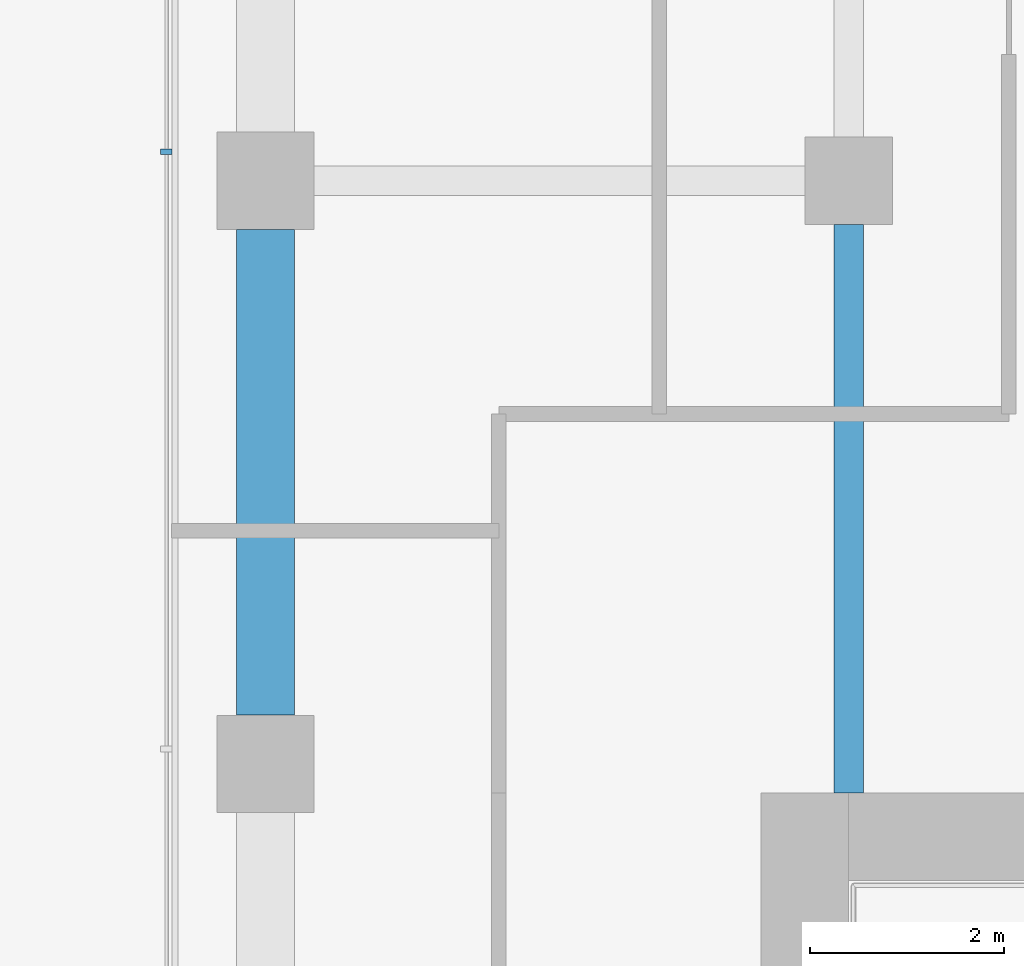
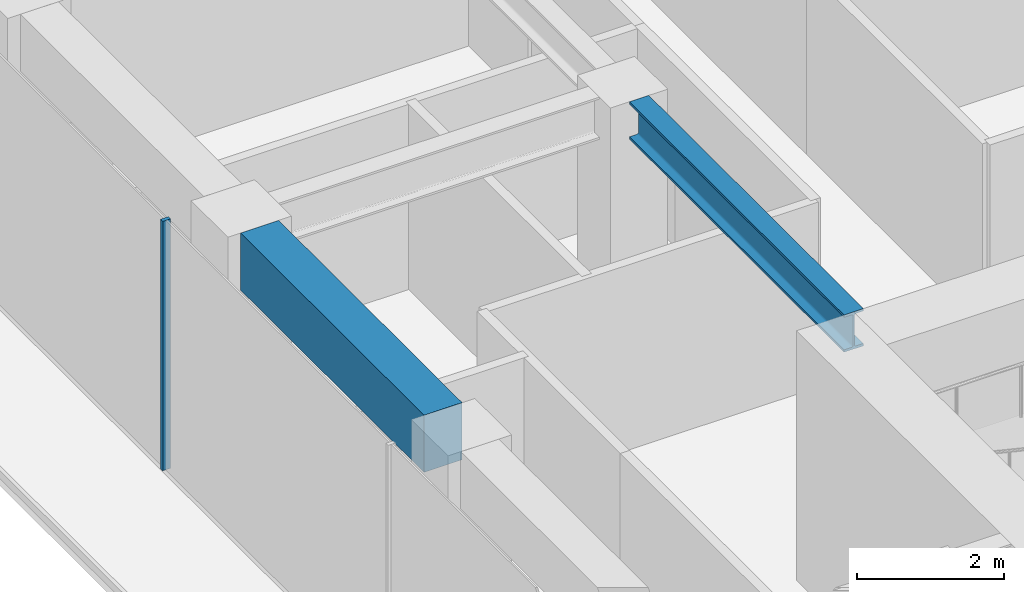
# One storey, part 11 of 24: 2 beams, 1 member, 1 element without a shape of its own.
"""IFC4 building model written with IfcOpenShell, lengths in metres."""

from ifc_helpers import new_model, si_unit, direction, frame, origin, origin_2d, place, context, subcontext, project, spatial, rectangle, i_section, extrude, material, layer, layer_set, material_profile, profile_set, type_object, element, aggregate, save


model = new_model("IFC4")

# Units and contexts
model_context = context("Model", 3, precision=1e-05, world=origin(), true_north=direction((0.0, 1.0)))
body_context = subcontext(model_context, "Body", "Model", "MODEL_VIEW")
ifc_project = project(units=[si_unit("LENGTHUNIT", "METRE"), si_unit("AREAUNIT", "SQUARE_METRE"), si_unit("VOLUMEUNIT", "CUBIC_METRE"), si_unit("PLANEANGLEUNIT", "RADIAN"), si_unit("MASSUNIT", "GRAM", prefix="KILO")], contexts=[model_context])

# Site, building, storey
site_placement = place(None, origin())
site = spatial("IfcSite", under=ifc_project, at=site_placement, CompositionType="ELEMENT")
building_placement = place(site_placement, origin())
building = spatial("IfcBuilding", under=site, at=building_placement, Name="Welwitschia Terrace Campus", CompositionType="ELEMENT")
storey_placement = place(building_placement, frame((0.0, 0.0, 24.5)))
storey = spatial("IfcBuildingStorey", under=building, at=storey_placement, Name="L05", CompositionType="ELEMENT", Elevation=24.5)

# Beam
ifc_material_1 = material(Name="Steel S355", Category="steel")
ifc_material_profile_1 = material_profile(ifc_material_1, i_section(OverallWidth=0.304931640625, OverallDepth=0.6201171875, WebThickness=0.02099609375, FlangeThickness=0.0400390625, FilletRadius=0.027099609375, at=origin_2d()))
ifc_profile_set_1 = profile_set([ifc_material_profile_1], Name="Steel S355")
beam_type_1 = type_object("IfcBeamType", Name="Interior girder HE 600 M", PredefinedType="BEAM", material=ifc_profile_set_1)
beam_1_placement = place(storey_placement, frame((6.0, 25.700927734375, 3.840087890625), z_axis=(0.0, 1.0, 0.0), x_axis=(-1.0, 0.0, 0.0)))
element("IfcBeam", 1, at=beam_1_placement, inside=storey, type_object=beam_type_1, Name="Girder GB1", PredefinedType="BEAM", context=body_context, shape_type="SweptSolid", body=[
    extrude(i_section(OverallWidth=0.304931640625, OverallDepth=0.6201171875, WebThickness=0.02099609375, FlangeThickness=0.0400390625, FilletRadius=0.027099609375, at=origin_2d()), origin(), (0.0, 0.0, 1.0), 5.8486328125),
])

# Curtain wall, member
ifc_material_2 = material(Name="Bronze anodised aluminium", Category="aluminium")
ifc_layer = layer(ifc_material_2, 0.1201171875)
ifc_layer_set = layer_set([ifc_layer], Name="Bronze anodised aluminium")
curtain_wall_type = type_object("IfcCurtainWallType", Name="Curtain wall CW2 tower 6000", PredefinedType="NOTDEFINED", material=ifc_layer_set)
curtain_wall_placement = place(storey_placement, origin())
curtain_wall = element("IfcCurtainWall", 2, at=curtain_wall_placement, inside=storey, type_object=curtain_wall_type, Name="CW L05.9.0", PredefinedType="NOTDEFINED")
ifc_material_3 = material(Name="Bronze anodised aluminium", Category="aluminium")
ifc_material_profile_2 = material_profile(ifc_material_3, rectangle(XDim=0.1201171875, YDim=0.06005859375, at=origin_2d()))
ifc_profile_set_2 = profile_set([ifc_material_profile_2], Name="Bronze anodised aluminium")
member_type = type_object("IfcMemberType", Name="Mullion 60x120", PredefinedType="MULLION", material=ifc_profile_set_2)
member_placement = place(storey_placement, frame((-1.02001953125, 32.298828125, 0.0), z_axis=(0.0, 0.0, 1.0), x_axis=(1.0, 0.0, 0.0)))
member = element("IfcMember", 3, at=member_placement, type_object=member_type, Name="Mullion L05.9.0.5", PredefinedType="MULLION", context=body_context, shape_type="SweptSolid", body=[
    extrude(rectangle(XDim=0.1201171875, YDim=0.06005859375, at=origin_2d()), origin(), (0.0, 0.0, 1.0), 4.14990234375),
])
aggregate(curtain_wall, [member])

# Beam
ifc_material_4 = material(Name="Concrete C60/75", Category="concrete")
ifc_material_profile_3 = material_profile(ifc_material_4, rectangle(XDim=0.60009765625, YDim=0.949951171875, at=origin_2d()))
ifc_profile_set_3 = profile_set([ifc_material_profile_3], Name="Concrete C60/75")
beam_type_2 = type_object("IfcBeamType", Name="Ring spandrel 600x950", PredefinedType="SPANDREL", material=ifc_profile_set_3)
beam_2_placement = place(storey_placement, frame((0.0, 31.49951171875, 3.675048828125), z_axis=(0.0, -1.0, 0.0), x_axis=(1.0, 0.0, 0.0)))
element("IfcBeam", 4, at=beam_2_placement, inside=storey, type_object=beam_type_2, Name="Spandrel SP1", PredefinedType="SPANDREL", context=body_context, shape_type="SweptSolid", body=[
    extrude(rectangle(XDim=0.60009765625, YDim=0.949951171875, at=origin_2d()), origin(), (0.0, 0.0, 1.0), 4.9990234375),
])

save(model, "model.ifc")
